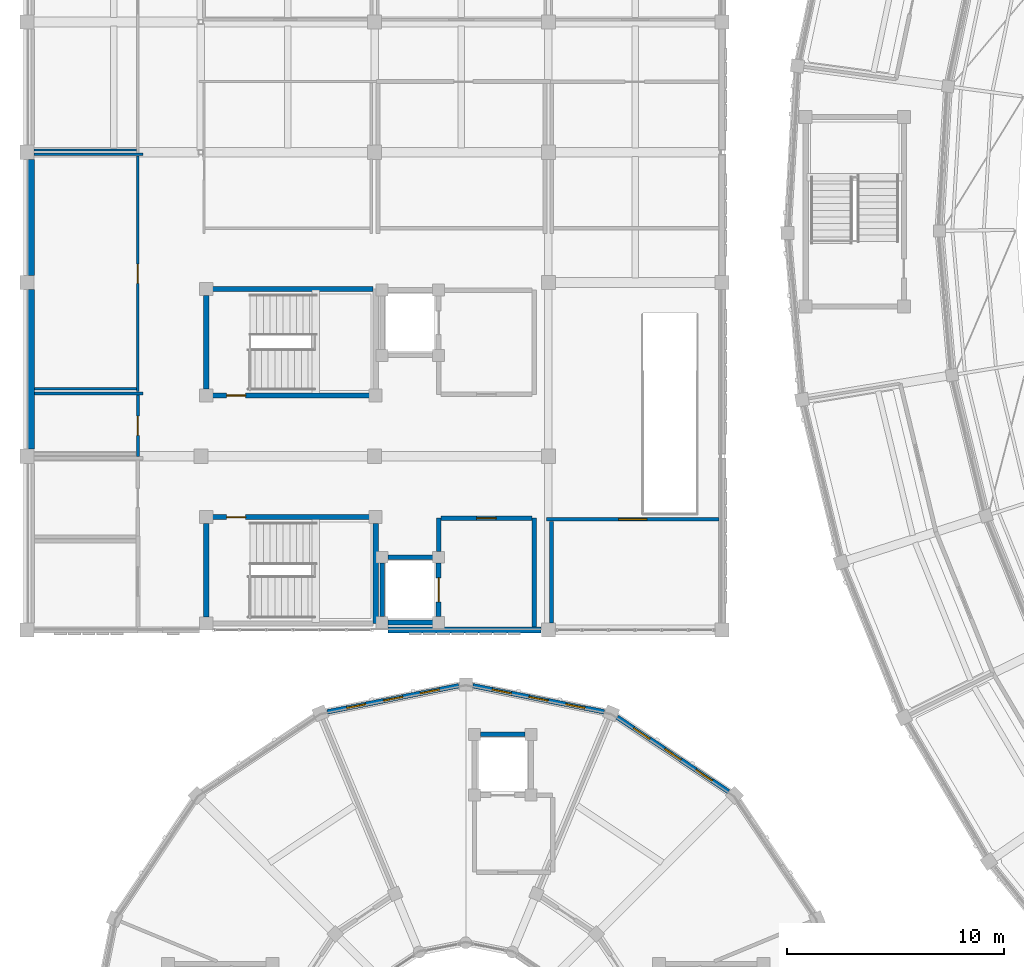
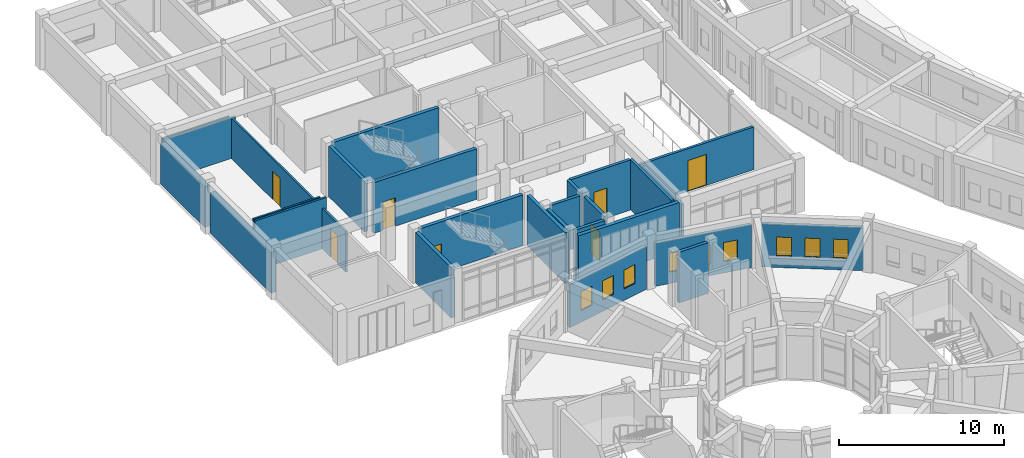
# One storey, part 77 of 112: 28 walls, 9 windows, 7 doors, 16 openings.
"""IFC4 building model written with IfcOpenShell, lengths in metres."""

from ifc_helpers import new_model, si_unit, direction, frame, frame_2d, origin, place, context, subcontext, project, spatial, rectangle, extrude, material, layer, layer_set, type_object, element, fill, save


model = new_model("IFC4")

# Units and contexts
model_context = context("Model", 3, precision=1e-05, world=origin(), true_north=direction((0.0, 1.0)))
body_context = subcontext(model_context, "Body", "Model", "MODEL_VIEW")
ifc_project = project(units=[si_unit("LENGTHUNIT", "METRE"), si_unit("AREAUNIT", "SQUARE_METRE"), si_unit("VOLUMEUNIT", "CUBIC_METRE"), si_unit("PLANEANGLEUNIT", "RADIAN"), si_unit("MASSUNIT", "GRAM", prefix="KILO")], contexts=[model_context])

# Site, building, storey
site_placement = place(None, origin())
site = spatial("IfcSite", under=ifc_project, at=site_placement, CompositionType="ELEMENT")
building_placement = place(site_placement, origin())
building = spatial("IfcBuilding", under=site, at=building_placement, Name="Celadon Cloister-Ring School", CompositionType="ELEMENT")
storey_placement = place(building_placement, frame((0.0, 0.0, 8.5)))
storey = spatial("IfcBuildingStorey", under=building, at=storey_placement, Name="L02", CompositionType="ELEMENT", Elevation=8.5)

# Wall
ifc_material_1 = material(Name="Rendered concrete blockwork", Category="masonry")
ifc_layer_1 = layer(ifc_material_1, 0.260009765625)
ifc_layer_set_1 = layer_set([ifc_layer_1], Name="Rendered concrete blockwork")
wall_type_1 = type_object("IfcWallType", Name="WT-EX2", PredefinedType="SOLIDWALL", material=ifc_layer_set_1)
wall_1_placement = place(storey_placement, frame((23.673095703125, 40.0, 0.0), z_axis=(0.0, 0.0, 1.0), x_axis=(-1.0, 0.0, 0.0)))
element("IfcWall", 1, at=wall_1_placement, inside=storey, type_object=wall_type_1, Name="Exterior Wall 0522", PredefinedType="SOLIDWALL", context=body_context, shape_type="SweptSolid", body=[
    extrude(rectangle(XDim=7.046142578125, YDim=0.260009765625, at=frame_2d((3.52294921875, 0.0))), origin(), (0.0, 0.0, 1.0), 3.550048828125),
])

# Wall, openings, windows
ifc_material_2 = material(Name="Perforated terracotta clay brick masonry", Category="masonry")
ifc_layer_2 = layer(ifc_material_2, 0.219970703125)
ifc_layer_set_2 = layer_set([ifc_layer_2], Name="Perforated terracotta clay brick masonry")
wall_type_2 = type_object("IfcWallType", Name="WT-EX4", PredefinedType="SOLIDWALL", material=ifc_layer_set_2)
wall_2_placement = place(storey_placement, frame((27.1708984375, 35.985107421875, 0.0), z_axis=(0.0, 0.0, 1.0), x_axis=(0.831392186772, -0.55568609104, 0.0)))
wall_2 = element("IfcWall", 2, at=wall_2_placement, inside=storey, type_object=wall_type_2, Name="Exterior Wall 0333", PredefinedType="SOLIDWALL", context=body_context, shape_type="SweptSolid", body=[
    extrude(rectangle(XDim=6.16943359375, YDim=0.219970703125, at=frame_2d((3.084716796875, 0.0))), origin(), (0.0, 0.0, 1.0), 3.172119140625),
])
opening_1_placement = place(wall_2_placement, frame((0.906982421875, 0.0, 0.85009765625)))
opening_1 = element("IfcOpeningElement", 3, at=opening_1_placement, cuts=wall_2, Name="Opening WN-21", PredefinedType="OPENING", context=body_context, shape_type="SweptSolid", body=[
    extrude(rectangle(XDim=0.89990234375, YDim=1.39990234375, at=frame_2d((0.449951171875, 0.699951171875))), frame((0.0, 0.1201171875, 0.0), z_axis=(0.0, -1.0, 0.0), x_axis=(1.0, 0.0, 0.0)), (0.0, 0.0, 1.0), 0.239990234375),
])
opening_2_placement = place(wall_2_placement, frame((2.635009765625, 0.0, 0.85009765625)))
opening_2 = element("IfcOpeningElement", 4, at=opening_2_placement, cuts=wall_2, Name="Opening WN-21", PredefinedType="OPENING", context=body_context, shape_type="SweptSolid", body=[
    extrude(rectangle(XDim=0.89990234375, YDim=1.39990234375, at=frame_2d((0.449951171875, 0.699951171875))), frame((0.0, 0.1201171875, 0.0), z_axis=(0.0, -1.0, 0.0), x_axis=(1.0, 0.0, 0.0)), (0.0, 0.0, 1.0), 0.239990234375),
])
opening_3_placement = place(wall_2_placement, frame((4.362060546875, 0.0, 0.85009765625)))
opening_3 = element("IfcOpeningElement", 5, at=opening_3_placement, cuts=wall_2, Name="Opening WN-21", PredefinedType="OPENING", context=body_context, shape_type="SweptSolid", body=[
    extrude(rectangle(XDim=0.89990234375, YDim=1.39990234375, at=frame_2d((0.449951171875, 0.699951171875))), frame((0.0, 0.1201171875, 0.0), z_axis=(0.0, -1.0, 0.0), x_axis=(1.0, 0.0, 0.0)), (0.0, 0.0, 1.0), 0.239990234375),
])
ifc_material_3 = material(Name="Tempered laminated insulating glass", Category="glass")
window_type = type_object("IfcWindowType", Name="WN-21", PartitioningType="SINGLE_PANEL", PredefinedType="WINDOW", material=ifc_material_3)
window_1_placement = place(opening_1_placement, origin())
window_1 = element("IfcWindow", 6, at=window_1_placement, inside=storey, type_object=window_type, Name="Window 0857", OverallHeight=1.39990234375, OverallWidth=0.89990234375, PartitioningType="SINGLE_PANEL", PredefinedType="WINDOW", context=body_context, shape_type="SweptSolid", body=[
    extrude(rectangle(XDim=0.89990234375, YDim=1.39990234375, at=frame_2d((0.449951171875, 0.699951171875))), frame((0.0, 0.030029296875, 0.0), z_axis=(0.0, -1.0, 0.0), x_axis=(1.0, 0.0, 0.0)), (0.0, 0.0, 1.0), 0.06005859375),
])
fill(opening_1, window_1)
window_2_placement = place(opening_2_placement, origin())
window_2 = element("IfcWindow", 7, at=window_2_placement, inside=storey, type_object=window_type, Name="Window 0858", OverallHeight=1.39990234375, OverallWidth=0.89990234375, PartitioningType="SINGLE_PANEL", PredefinedType="WINDOW", context=body_context, shape_type="SweptSolid", body=[
    extrude(rectangle(XDim=0.89990234375, YDim=1.39990234375, at=frame_2d((0.449951171875, 0.699951171875))), frame((0.0, 0.030029296875, 0.0), z_axis=(0.0, -1.0, 0.0), x_axis=(1.0, 0.0, 0.0)), (0.0, 0.0, 1.0), 0.06005859375),
])
fill(opening_2, window_2)
window_3_placement = place(opening_3_placement, origin())
window_3 = element("IfcWindow", 8, at=window_3_placement, inside=storey, type_object=window_type, Name="Window 0859", OverallHeight=1.39990234375, OverallWidth=0.89990234375, PartitioningType="SINGLE_PANEL", PredefinedType="WINDOW", context=body_context, shape_type="SweptSolid", body=[
    extrude(rectangle(XDim=0.89990234375, YDim=1.39990234375, at=frame_2d((0.449951171875, 0.699951171875))), frame((0.0, 0.030029296875, 0.0), z_axis=(0.0, -1.0, 0.0), x_axis=(1.0, 0.0, 0.0)), (0.0, 0.0, 1.0), 0.06005859375),
])
fill(opening_3, window_3)

wall_3_placement = place(storey_placement, frame((20.52294921875, 37.43603515625, 0.0), z_axis=(0.0, 0.0, 1.0), x_axis=(0.980770460131, -0.195164813773, 0.0)))
wall_3 = element("IfcWall", 9, at=wall_3_placement, inside=storey, type_object=wall_type_2, Name="Exterior Wall 0335", PredefinedType="SOLIDWALL", context=body_context, shape_type="SweptSolid", body=[
    extrude(rectangle(XDim=6.169677734375, YDim=0.219970703125, at=frame_2d((3.0849609375, 0.0))), origin(), (0.0, 0.0, 1.0), 3.172119140625),
])
opening_4_placement = place(wall_3_placement, frame((0.906982421875, 0.0, 0.85009765625)))
opening_4 = element("IfcOpeningElement", 10, at=opening_4_placement, cuts=wall_3, Name="Opening WN-21", PredefinedType="OPENING", context=body_context, shape_type="SweptSolid", body=[
    extrude(rectangle(XDim=0.89990234375, YDim=1.39990234375, at=frame_2d((0.449951171875, 0.699951171875))), frame((0.0, 0.1201171875, 0.0), z_axis=(0.0, -1.0, 0.0), x_axis=(1.0, 0.0, 0.0)), (0.0, 0.0, 1.0), 0.239990234375),
])
opening_5_placement = place(wall_3_placement, frame((2.635009765625, 0.0, 0.85009765625)))
opening_5 = element("IfcOpeningElement", 11, at=opening_5_placement, cuts=wall_3, Name="Opening WN-21", PredefinedType="OPENING", context=body_context, shape_type="SweptSolid", body=[
    extrude(rectangle(XDim=0.89990234375, YDim=1.39990234375, at=frame_2d((0.449951171875, 0.699951171875))), frame((0.0, 0.1201171875, 0.0), z_axis=(0.0, -1.0, 0.0), x_axis=(1.0, 0.0, 0.0)), (0.0, 0.0, 1.0), 0.239990234375),
])
opening_6_placement = place(wall_3_placement, frame((4.362060546875, 0.0, 0.85009765625)))
opening_6 = element("IfcOpeningElement", 12, at=opening_6_placement, cuts=wall_3, Name="Opening WN-21", PredefinedType="OPENING", context=body_context, shape_type="SweptSolid", body=[
    extrude(rectangle(XDim=0.89990234375, YDim=1.39990234375, at=frame_2d((0.449951171875, 0.699951171875))), frame((0.0, 0.1201171875, 0.0), z_axis=(0.0, -1.0, 0.0), x_axis=(1.0, 0.0, 0.0)), (0.0, 0.0, 1.0), 0.239990234375),
])
window_4_placement = place(opening_4_placement, origin())
window_4 = element("IfcWindow", 13, at=window_4_placement, inside=storey, type_object=window_type, Name="Window 0860", OverallHeight=1.39990234375, OverallWidth=0.89990234375, PartitioningType="SINGLE_PANEL", PredefinedType="WINDOW", context=body_context, shape_type="SweptSolid", body=[
    extrude(rectangle(XDim=0.89990234375, YDim=1.39990234375, at=frame_2d((0.449951171875, 0.699951171875))), frame((0.0, 0.030029296875, 0.0), z_axis=(0.0, -1.0, 0.0), x_axis=(1.0, 0.0, 0.0)), (0.0, 0.0, 1.0), 0.06005859375),
])
fill(opening_4, window_4)
window_5_placement = place(opening_5_placement, origin())
window_5 = element("IfcWindow", 14, at=window_5_placement, inside=storey, type_object=window_type, Name="Window 0861", OverallHeight=1.39990234375, OverallWidth=0.89990234375, PartitioningType="SINGLE_PANEL", PredefinedType="WINDOW", context=body_context, shape_type="SweptSolid", body=[
    extrude(rectangle(XDim=0.89990234375, YDim=1.39990234375, at=frame_2d((0.449951171875, 0.699951171875))), frame((0.0, 0.030029296875, 0.0), z_axis=(0.0, -1.0, 0.0), x_axis=(1.0, 0.0, 0.0)), (0.0, 0.0, 1.0), 0.06005859375),
])
fill(opening_5, window_5)
window_6_placement = place(opening_6_placement, origin())
window_6 = element("IfcWindow", 15, at=window_6_placement, inside=storey, type_object=window_type, Name="Window 0862", OverallHeight=1.39990234375, OverallWidth=0.89990234375, PartitioningType="SINGLE_PANEL", PredefinedType="WINDOW", context=body_context, shape_type="SweptSolid", body=[
    extrude(rectangle(XDim=0.89990234375, YDim=1.39990234375, at=frame_2d((0.449951171875, 0.699951171875))), frame((0.0, 0.030029296875, 0.0), z_axis=(0.0, -1.0, 0.0), x_axis=(1.0, 0.0, 0.0)), (0.0, 0.0, 1.0), 0.06005859375),
])
fill(opening_6, window_6)

wall_4_placement = place(storey_placement, frame((13.825927734375, 36.23193359375, 0.0), z_axis=(0.0, 0.0, 1.0), x_axis=(0.980770460131, 0.195164813773, 0.0)))
wall_4 = element("IfcWall", 16, at=wall_4_placement, inside=storey, type_object=wall_type_2, Name="Exterior Wall 0336", PredefinedType="SOLIDWALL", context=body_context, shape_type="SweptSolid", body=[
    extrude(rectangle(XDim=6.169677734375, YDim=0.219970703125, at=frame_2d((3.0849609375, 0.0))), origin(), (0.0, 0.0, 1.0), 3.172119140625),
])
opening_7_placement = place(wall_4_placement, frame((0.906982421875, 0.0, 0.85009765625)))
opening_7 = element("IfcOpeningElement", 17, at=opening_7_placement, cuts=wall_4, Name="Opening WN-21", PredefinedType="OPENING", context=body_context, shape_type="SweptSolid", body=[
    extrude(rectangle(XDim=0.89990234375, YDim=1.39990234375, at=frame_2d((0.449951171875, 0.699951171875))), frame((0.0, 0.1201171875, 0.0), z_axis=(0.0, -1.0, 0.0), x_axis=(1.0, 0.0, 0.0)), (0.0, 0.0, 1.0), 0.239990234375),
])
opening_8_placement = place(wall_4_placement, frame((2.635009765625, 0.0, 0.85009765625)))
opening_8 = element("IfcOpeningElement", 18, at=opening_8_placement, cuts=wall_4, Name="Opening WN-21", PredefinedType="OPENING", context=body_context, shape_type="SweptSolid", body=[
    extrude(rectangle(XDim=0.89990234375, YDim=1.39990234375, at=frame_2d((0.449951171875, 0.699951171875))), frame((0.0, 0.1201171875, 0.0), z_axis=(0.0, -1.0, 0.0), x_axis=(1.0, 0.0, 0.0)), (0.0, 0.0, 1.0), 0.239990234375),
])
opening_9_placement = place(wall_4_placement, frame((4.362060546875, 0.0, 0.85009765625)))
opening_9 = element("IfcOpeningElement", 19, at=opening_9_placement, cuts=wall_4, Name="Opening WN-21", PredefinedType="OPENING", context=body_context, shape_type="SweptSolid", body=[
    extrude(rectangle(XDim=0.89990234375, YDim=1.39990234375, at=frame_2d((0.449951171875, 0.699951171875))), frame((0.0, 0.1201171875, 0.0), z_axis=(0.0, -1.0, 0.0), x_axis=(1.0, 0.0, 0.0)), (0.0, 0.0, 1.0), 0.239990234375),
])
window_7_placement = place(opening_7_placement, origin())
window_7 = element("IfcWindow", 20, at=window_7_placement, inside=storey, type_object=window_type, Name="Window 0863", OverallHeight=1.39990234375, OverallWidth=0.89990234375, PartitioningType="SINGLE_PANEL", PredefinedType="WINDOW", context=body_context, shape_type="SweptSolid", body=[
    extrude(rectangle(XDim=0.89990234375, YDim=1.39990234375, at=frame_2d((0.449951171875, 0.699951171875))), frame((0.0, 0.030029296875, 0.0), z_axis=(0.0, -1.0, 0.0), x_axis=(1.0, 0.0, 0.0)), (0.0, 0.0, 1.0), 0.06005859375),
])
fill(opening_7, window_7)
window_8_placement = place(opening_8_placement, origin())
window_8 = element("IfcWindow", 21, at=window_8_placement, inside=storey, type_object=window_type, Name="Window 0864", OverallHeight=1.39990234375, OverallWidth=0.89990234375, PartitioningType="SINGLE_PANEL", PredefinedType="WINDOW", context=body_context, shape_type="SweptSolid", body=[
    extrude(rectangle(XDim=0.89990234375, YDim=1.39990234375, at=frame_2d((0.449951171875, 0.699951171875))), frame((0.0, 0.030029296875, 0.0), z_axis=(0.0, -1.0, 0.0), x_axis=(1.0, 0.0, 0.0)), (0.0, 0.0, 1.0), 0.06005859375),
])
fill(opening_8, window_8)
window_9_placement = place(opening_9_placement, origin())
window_9 = element("IfcWindow", 22, at=window_9_placement, inside=storey, type_object=window_type, Name="Window 0865", OverallHeight=1.39990234375, OverallWidth=0.89990234375, PartitioningType="SINGLE_PANEL", PredefinedType="WINDOW", context=body_context, shape_type="SweptSolid", body=[
    extrude(rectangle(XDim=0.89990234375, YDim=1.39990234375, at=frame_2d((0.449951171875, 0.699951171875))), frame((0.0, 0.030029296875, 0.0), z_axis=(0.0, -1.0, 0.0), x_axis=(1.0, 0.0, 0.0)), (0.0, 0.0, 1.0), 0.06005859375),
])
fill(opening_9, window_9)

# Walls
ifc_material_4 = material(Name="Concrete C40/50", Category="concrete")
ifc_layer_3 = layer(ifc_material_4, 0.35009765625)
ifc_layer_set_3 = layer_set([ifc_layer_3], Name="Concrete C40/50")
wall_type_3 = type_object("IfcWallType", Name="WT-FW2", PredefinedType="SHEAR", material=ifc_layer_set_3)
wall_5_placement = place(storey_placement, frame((0.175048828125, 48.326904296875, 0.0), z_axis=(0.0, 0.0, 1.0), x_axis=(0.0, 1.0, 0.0)))
element("IfcWall", 23, at=wall_5_placement, inside=storey, type_object=wall_type_3, Name="Exterior Wall 0525", PredefinedType="SHEAR", context=body_context, shape_type="SweptSolid", body=[
    extrude(rectangle(XDim=7.34619140625, YDim=0.35009765625, at=frame_2d((3.673095703125, 0.0))), origin(), (0.0, 0.0, 1.0), 3.001953125),
])
wall_6_placement = place(storey_placement, frame((0.175048828125, 56.326904296875, 0.0), z_axis=(0.0, 0.0, 1.0), x_axis=(0.0, 1.0, 0.0)))
element("IfcWall", 24, at=wall_6_placement, inside=storey, type_object=wall_type_3, Name="Exterior Wall 0526", PredefinedType="SHEAR", context=body_context, shape_type="SweptSolid", body=[
    extrude(rectangle(XDim=5.34619140625, YDim=0.35009765625, at=frame_2d((2.673095703125, 0.0))), origin(), (0.0, 0.0, 1.0), 3.001953125),
])
ifc_material_5 = material(Name="Plastered hollow concrete masonry", Category="masonry")
ifc_layer_4 = layer(ifc_material_5, 0.199951171875)
ifc_layer_set_4 = layer_set([ifc_layer_4], Name="Plastered hollow concrete masonry")
wall_type_4 = type_object("IfcWallType", Name="WT-PT1", PredefinedType="PARTITIONING", material=ifc_layer_set_4)
wall_7_placement = place(storey_placement, frame((18.949951171875, 43.616943359375, 0.0), z_axis=(0.0, 0.0, 1.0), x_axis=(0.0, 1.0, 0.0)))
element("IfcWall", 25, at=wall_7_placement, inside=storey, type_object=wall_type_4, Name="Interior Wall 0227", PredefinedType="PARTITIONING", context=body_context, shape_type="SweptSolid", body=[
    extrude(rectangle(XDim=1.532958984375, YDim=0.199951171875, at=frame_2d((0.7666015625, 0.0))), origin(), (0.0, 0.0, 1.0), 3.699951171875),
])
wall_8_placement = place(storey_placement, frame((23.35009765625, 40.133056640625, 0.0), z_axis=(0.0, 0.0, 1.0), x_axis=(0.0, 1.0, 0.0)))
element("IfcWall", 26, at=wall_8_placement, inside=storey, type_object=wall_type_4, Name="Interior Wall 0228", PredefinedType="PARTITIONING", context=body_context, shape_type="SweptSolid", body=[
    extrude(rectangle(XDim=5.016845703125, YDim=0.199951171875, at=frame_2d((2.50830078125, 0.0))), origin(), (0.0, 0.0, 1.0), 3.699951171875),
])

# Wall, opening, door
wall_9_placement = place(storey_placement, frame((19.052978515625, 45.14990234375, 0.0), z_axis=(0.0, 0.0, 1.0), x_axis=(1.0, 0.0, 0.0)))
wall_9 = element("IfcWall", 27, at=wall_9_placement, inside=storey, type_object=wall_type_4, Name="Interior Wall 0229", PredefinedType="PARTITIONING", context=body_context, shape_type="SweptSolid", body=[
    extrude(rectangle(XDim=4.194091796875, YDim=0.199951171875, at=frame_2d((2.09716796875, 0.0))), origin(), (0.0, 0.0, 1.0), 3.699951171875),
])
opening_10_placement = place(wall_9_placement, frame((1.64697265625, 0.0, 0.0)))
opening_10 = element("IfcOpeningElement", 28, at=opening_10_placement, cuts=wall_9, Name="Opening D-0087", PredefinedType="OPENING", context=body_context, shape_type="SweptSolid", body=[
    extrude(rectangle(XDim=0.89990234375, YDim=2.199951171875, at=frame_2d((0.449951171875, 1.10009765625))), frame((0.0, 0.10986328125, 0.0), z_axis=(0.0, -1.0, 0.0), x_axis=(1.0, 0.0, 0.0)), (0.0, 0.0, 1.0), 0.219970703125),
])
ifc_material_6 = material(Name="Solid-core fire-rated hardwood leaf", Category="wood")
door_type_1 = type_object("IfcDoorType", Name="DT-06", OperationType="NOTDEFINED", PredefinedType="DOOR", material=ifc_material_6)
door_1_placement = place(opening_10_placement, origin())
door_1 = element("IfcDoor", 29, at=door_1_placement, inside=storey, type_object=door_type_1, Name="Door D-0087", OperationType="SINGLE_SWING_LEFT", OverallHeight=2.199951171875, OverallWidth=0.89990234375, PredefinedType="DOOR", context=body_context, shape_type="SweptSolid", body=[
    extrude(rectangle(XDim=0.89990234375, YDim=2.199951171875, at=frame_2d((0.449951171875, 1.10009765625))), frame((0.0, 0.02490234375, 0.0), z_axis=(0.0, -1.0, 0.0), x_axis=(1.0, 0.0, 0.0)), (0.0, 0.0, 1.0), 0.050048828125),
])
fill(opening_10, door_1)

ifc_material_7 = material(Name="Plastered hollow concrete masonry", Category="masonry")
ifc_layer_5 = layer(ifc_material_7, 0.179931640625)
ifc_layer_set_5 = layer_set([ifc_layer_5], Name="Plastered hollow concrete masonry")
wall_type_5 = type_object("IfcWallType", Name="WT-PT2", PredefinedType="PARTITIONING", material=ifc_layer_set_5)
wall_10_placement = place(storey_placement, frame((23.909912109375, 45.10009765625, 0.0), z_axis=(0.0, 0.0, 1.0), x_axis=(1.0, 0.0, 0.0)))
wall_10 = element("IfcWall", 30, at=wall_10_placement, inside=storey, type_object=wall_type_5, Name="Interior Wall 1065", PredefinedType="PARTITIONING", context=body_context, shape_type="SweptSolid", body=[
    extrude(rectangle(XDim=7.95703125, YDim=0.179931640625, at=frame_2d((3.978515625, 0.0))), origin(), (0.0, 0.0, 1.0), 3.152099609375),
])
opening_11_placement = place(wall_10_placement, frame((3.3291015625, 0.0, 0.0)))
opening_11 = element("IfcOpeningElement", 31, at=opening_11_placement, cuts=wall_10, Name="Opening D-0380", PredefinedType="OPENING", context=body_context, shape_type="SweptSolid", body=[
    extrude(rectangle(XDim=1.300048828125, YDim=2.280029296875, at=frame_2d((0.64990234375, 1.14013671875))), frame((0.0, 0.10009765625, 0.0), z_axis=(0.0, -1.0, 0.0), x_axis=(1.0, 0.0, 0.0)), (0.0, 0.0, 1.0), 0.199951171875),
])
ifc_material_8 = material(Name="Galvanised fire-rated hollow steel leaf", Category="steel")
door_type_2 = type_object("IfcDoorType", Name="DT-16", OperationType="NOTDEFINED", PredefinedType="DOOR", material=ifc_material_8)
door_2_placement = place(opening_11_placement, origin())
door_2 = element("IfcDoor", 32, at=door_2_placement, inside=storey, type_object=door_type_2, Name="Door D-0380", OperationType="SINGLE_SWING_RIGHT", OverallHeight=2.280029296875, OverallWidth=1.300048828125, PredefinedType="DOOR", context=body_context, shape_type="SweptSolid", body=[
    extrude(rectangle(XDim=1.300048828125, YDim=2.280029296875, at=frame_2d((0.64990234375, 1.14013671875))), frame((0.0, 0.02490234375, 0.0), z_axis=(0.0, -1.0, 0.0), x_axis=(1.0, 0.0, 0.0)), (0.0, 0.0, 1.0), 0.050048828125),
])
fill(opening_11, door_2)

# Walls
wall_11_placement = place(storey_placement, frame((24.14990234375, 40.31689453125, 0.0), z_axis=(0.0, 0.0, 1.0), x_axis=(0.0, 1.0, 0.0)))
element("IfcWall", 33, at=wall_11_placement, inside=storey, type_object=wall_type_5, Name="Interior Wall 1066", PredefinedType="PARTITIONING", context=body_context, shape_type="SweptSolid", body=[
    extrude(rectangle(XDim=4.690185546875, YDim=0.179931640625, at=frame_2d((2.34521484375, 0.0))), origin(), (0.0, 0.0, 1.0), 3.001953125),
])
ifc_material_9 = material(Name="Acoustic mineral-wool drywall partition")
ifc_layer_6 = layer(ifc_material_9, 0.139892578125)
ifc_layer_set_6 = layer_set([ifc_layer_6], Name="Acoustic mineral-wool drywall partition")
wall_type_6 = type_object("IfcWallType", Name="WT-PT4", PredefinedType="PARTITIONING", material=ifc_layer_set_6)
wall_12_placement = place(storey_placement, frame((0.35302734375, 50.89990234375, 0.0), z_axis=(0.0, 0.0, 1.0), x_axis=(1.0, 0.0, 0.0)))
element("IfcWall", 34, at=wall_12_placement, inside=storey, type_object=wall_type_6, Name="Interior Wall 1057", PredefinedType="PARTITIONING", context=body_context, shape_type="SweptSolid", body=[
    extrude(rectangle(XDim=4.987060546875, YDim=0.139892578125, at=frame_2d((2.49365234375, 0.0))), origin(), (0.0, 0.0, 1.0), 3.699951171875),
])

# Wall, opening, door
wall_13_placement = place(storey_placement, frame((5.10009765625, 50.826904296875, 0.0), z_axis=(0.0, 0.0, 1.0), x_axis=(0.0, -1.0, 0.0)))
wall_13 = element("IfcWall", 35, at=wall_13_placement, inside=storey, type_object=wall_type_6, Name="Interior Wall 1058", PredefinedType="PARTITIONING", context=body_context, shape_type="SweptSolid", body=[
    extrude(rectangle(XDim=2.843994140625, YDim=0.139892578125, at=frame_2d((1.421875, 0.0))), origin(), (0.0, 0.0, 1.0), 3.001953125),
])
opening_12_placement = place(wall_13_placement, frame((0.98193359375, 0.0, 0.0)))
opening_12 = element("IfcOpeningElement", 36, at=opening_12_placement, cuts=wall_13, Name="Opening D-0377", PredefinedType="OPENING", context=body_context, shape_type="SweptSolid", body=[
    extrude(rectangle(XDim=0.8798828125, YDim=2.10009765625, at=frame_2d((0.43994140625, 1.050048828125))), frame((0.0, 0.080078125, 0.0), z_axis=(0.0, -1.0, 0.0), x_axis=(1.0, 0.0, 0.0)), (0.0, 0.0, 1.0), 0.159912109375),
])
ifc_material_10 = material(Name="Solid-core fire-rated hardwood leaf", Category="wood")
door_type_3 = type_object("IfcDoorType", Name="DT-01", OperationType="NOTDEFINED", PredefinedType="DOOR", material=ifc_material_10)
door_3_placement = place(opening_12_placement, origin())
door_3 = element("IfcDoor", 37, at=door_3_placement, inside=storey, type_object=door_type_3, Name="Door D-0377", OperationType="SINGLE_SWING_LEFT", OverallHeight=2.10009765625, OverallWidth=0.8798828125, PredefinedType="DOOR", context=body_context, shape_type="SweptSolid", body=[
    extrude(rectangle(XDim=0.8798828125, YDim=2.10009765625, at=frame_2d((0.43994140625, 1.050048828125))), frame((0.0, 0.02490234375, 0.0), z_axis=(0.0, -1.0, 0.0), x_axis=(1.0, 0.0, 0.0)), (0.0, 0.0, 1.0), 0.050048828125),
])
fill(opening_12, door_3)

# Wall
ifc_material_11 = material(Name="Acoustic mineral-wool drywall partition")
ifc_layer_7 = layer(ifc_material_11, 0.1201171875)
ifc_layer_set_7 = layer_set([ifc_layer_7], Name="Acoustic mineral-wool drywall partition")
wall_type_7 = type_object("IfcWallType", Name="WT-PT5", PredefinedType="PARTITIONING", material=ifc_layer_set_7)
wall_14_placement = place(storey_placement, frame((0.31689453125, 61.89990234375, 0.0), z_axis=(0.0, 0.0, 1.0), x_axis=(1.0, 0.0, 0.0)))
element("IfcWall", 38, at=wall_14_placement, inside=storey, type_object=wall_type_7, Name="Interior Wall 1060", PredefinedType="PARTITIONING", context=body_context, shape_type="SweptSolid", body=[
    extrude(rectangle(XDim=5.023193359375, YDim=0.1201171875, at=frame_2d((2.51171875, 0.0))), origin(), (0.0, 0.0, 1.0), 3.001953125),
])

# Wall, opening, door
wall_15_placement = place(storey_placement, frame((5.10009765625, 61.8369140625, 0.0), z_axis=(0.0, 0.0, 1.0), x_axis=(0.0, -1.0, 0.0)))
wall_15 = element("IfcWall", 39, at=wall_15_placement, inside=storey, type_object=wall_type_7, Name="Interior Wall 1061", PredefinedType="PARTITIONING", context=body_context, shape_type="SweptSolid", body=[
    extrude(rectangle(XDim=10.864013671875, YDim=0.1201171875, at=frame_2d((5.43212890625, 0.0))), origin(), (0.0, 0.0, 1.0), 3.001953125),
])
opening_13_placement = place(wall_15_placement, frame((4.991943359375, 0.0, 0.0)))
opening_13 = element("IfcOpeningElement", 40, at=opening_13_placement, cuts=wall_15, Name="Opening D-0378", PredefinedType="OPENING", context=body_context, shape_type="SweptSolid", body=[
    extrude(rectangle(XDim=0.8798828125, YDim=2.10009765625, at=frame_2d((0.43994140625, 1.050048828125))), frame((0.0, 0.070068359375, 0.0), z_axis=(0.0, -1.0, 0.0), x_axis=(1.0, 0.0, 0.0)), (0.0, 0.0, 1.0), 0.14013671875),
])
door_4_placement = place(opening_13_placement, origin())
door_4 = element("IfcDoor", 41, at=door_4_placement, inside=storey, type_object=door_type_3, Name="Door D-0378", OperationType="SINGLE_SWING_RIGHT", OverallHeight=2.10009765625, OverallWidth=0.8798828125, PredefinedType="DOOR", context=body_context, shape_type="SweptSolid", body=[
    extrude(rectangle(XDim=0.8798828125, YDim=2.10009765625, at=frame_2d((0.43994140625, 1.050048828125))), frame((0.0, 0.02490234375, 0.0), z_axis=(0.0, -1.0, 0.0), x_axis=(1.0, 0.0, 0.0)), (0.0, 0.0, 1.0), 0.050048828125),
])
fill(opening_13, door_4)

# Walls
wall_16_placement = place(storey_placement, frame((5.037109375, 51.10009765625, 0.0), z_axis=(0.0, 0.0, 1.0), x_axis=(-1.0, 0.0, 0.0)))
element("IfcWall", 42, at=wall_16_placement, inside=storey, type_object=wall_type_7, Name="Interior Wall 1062", PredefinedType="PARTITIONING", context=body_context, shape_type="SweptSolid", body=[
    extrude(rectangle(XDim=4.68408203125, YDim=0.1201171875, at=frame_2d((2.342041015625, 0.0))), origin(), (0.0, 0.0, 1.0), 3.699951171875),
])
ifc_material_12 = material(Name="Acoustic mineral-wool drywall partition")
ifc_layer_8 = layer(ifc_material_12, 0.10009765625)
ifc_layer_set_8 = layer_set([ifc_layer_8], Name="Acoustic mineral-wool drywall partition")
wall_type_8 = type_object("IfcWallType", Name="WT-PT6", PredefinedType="PARTITIONING", material=ifc_layer_set_8)
wall_17_placement = place(storey_placement, frame((5.047119140625, 62.10009765625, 0.0), z_axis=(0.0, 0.0, 1.0), x_axis=(-1.0, 0.0, 0.0)))
element("IfcWall", 43, at=wall_17_placement, inside=storey, type_object=wall_type_8, Name="Interior Wall 1064", PredefinedType="PARTITIONING", context=body_context, shape_type="SweptSolid", body=[
    extrude(rectangle(XDim=4.730224609375, YDim=0.10009765625, at=frame_2d((2.365234375, 0.0))), origin(), (0.0, 0.0, 1.0), 3.001953125),
])
ifc_material_13 = material(Name="Concrete C40/50", Category="concrete")
ifc_layer_9 = layer(ifc_material_13, 0.239990234375)
ifc_layer_set_9 = layer_set([ifc_layer_9], Name="Concrete C40/50")
wall_type_9 = type_object("IfcWallType", Name="WT-SH1", PredefinedType="SHEAR", material=ifc_layer_set_9)
wall_18_placement = place(storey_placement, frame((8.25, 40.592041015625, 0.0), z_axis=(0.0, 0.0, 1.0), x_axis=(0.0, 1.0, 0.0)))
element("IfcWall", 44, at=wall_18_placement, inside=storey, type_object=wall_type_9, Name="Interior Wall 0009", PredefinedType="SHEAR", context=body_context, shape_type="SweptSolid", body=[
    extrude(rectangle(XDim=4.31591796875, YDim=0.239990234375, at=frame_2d((2.157958984375, 0.0))), origin(), (0.0, 0.0, 1.0), 3.739990234375),
])
wall_19_placement = place(storey_placement, frame((16.050048828125, 44.907958984375, 0.0), z_axis=(0.0, 0.0, 1.0), x_axis=(0.0, -1.0, 0.0)))
element("IfcWall", 45, at=wall_19_placement, inside=storey, type_object=wall_type_9, Name="Interior Wall 0010", PredefinedType="SHEAR", context=body_context, shape_type="SweptSolid", body=[
    extrude(rectangle(XDim=4.60791015625, YDim=0.239990234375, at=frame_2d((2.303955078125, 0.0))), origin(), (0.0, 0.0, 1.0), 3.739990234375),
])

# Wall, opening, door
wall_20_placement = place(storey_placement, frame((15.758056640625, 45.199951171875, 0.0), z_axis=(0.0, 0.0, 1.0), x_axis=(-1.0, 0.0, 0.0)))
wall_20 = element("IfcWall", 46, at=wall_20_placement, inside=storey, type_object=wall_type_9, Name="Interior Wall 0012", PredefinedType="SHEAR", context=body_context, shape_type="SweptSolid", body=[
    extrude(rectangle(XDim=7.216064453125, YDim=0.239990234375, at=frame_2d((3.60791015625, 0.0))), origin(), (0.0, 0.0, 1.0), 3.739990234375),
])
opening_14_placement = place(wall_20_placement, frame((5.694091796875, 0.0, 0.0)))
opening_14 = element("IfcOpeningElement", 47, at=opening_14_placement, cuts=wall_20, Name="Opening D-0035", PredefinedType="OPENING", context=body_context, shape_type="SweptSolid", body=[
    extrude(rectangle(XDim=0.8798828125, YDim=2.10009765625, at=frame_2d((0.43994140625, 1.050048828125))), frame((0.0, 0.1298828125, 0.0), z_axis=(0.0, -1.0, 0.0), x_axis=(1.0, 0.0, 0.0)), (0.0, 0.0, 1.0), 0.260009765625),
])
door_5_placement = place(opening_14_placement, origin())
door_5 = element("IfcDoor", 48, at=door_5_placement, inside=storey, type_object=door_type_3, Name="Door D-0035", OperationType="SINGLE_SWING_LEFT", OverallHeight=2.10009765625, OverallWidth=0.8798828125, PredefinedType="DOOR", context=body_context, shape_type="SweptSolid", body=[
    extrude(rectangle(XDim=0.8798828125, YDim=2.10009765625, at=frame_2d((0.43994140625, 1.050048828125))), frame((0.0, 0.02490234375, 0.0), z_axis=(0.0, -1.0, 0.0), x_axis=(1.0, 0.0, 0.0)), (0.0, 0.0, 1.0), 0.050048828125),
])
fill(opening_14, door_5)

# Wall
wall_21_placement = place(storey_placement, frame((8.25, 51.092041015625, 0.0), z_axis=(0.0, 0.0, 1.0), x_axis=(0.0, 1.0, 0.0)))
element("IfcWall", 49, at=wall_21_placement, inside=storey, type_object=wall_type_9, Name="Interior Wall 0033", PredefinedType="SHEAR", context=body_context, shape_type="SweptSolid", body=[
    extrude(rectangle(XDim=4.31591796875, YDim=0.239990234375, at=frame_2d((2.157958984375, 0.0))), origin(), (0.0, 0.0, 1.0), 3.739990234375),
])

# Wall, opening, door
wall_22_placement = place(storey_placement, frame((15.758056640625, 50.800048828125, 0.0), z_axis=(0.0, 0.0, 1.0), x_axis=(-1.0, 0.0, 0.0)))
wall_22 = element("IfcWall", 50, at=wall_22_placement, inside=storey, type_object=wall_type_9, Name="Interior Wall 0035", PredefinedType="SHEAR", context=body_context, shape_type="SweptSolid", body=[
    extrude(rectangle(XDim=7.216064453125, YDim=0.239990234375, at=frame_2d((3.60791015625, 0.0))), origin(), (0.0, 0.0, 1.0), 3.739990234375),
])
opening_15_placement = place(wall_22_placement, frame((5.694091796875, 0.0, 0.0)))
opening_15 = element("IfcOpeningElement", 51, at=opening_15_placement, cuts=wall_22, Name="Opening D-0041", PredefinedType="OPENING", context=body_context, shape_type="SweptSolid", body=[
    extrude(rectangle(XDim=0.8798828125, YDim=2.10009765625, at=frame_2d((0.43994140625, 1.050048828125))), frame((0.0, 0.1298828125, 0.0), z_axis=(0.0, -1.0, 0.0), x_axis=(1.0, 0.0, 0.0)), (0.0, 0.0, 1.0), 0.260009765625),
])
door_6_placement = place(opening_15_placement, origin())
door_6 = element("IfcDoor", 52, at=door_6_placement, inside=storey, type_object=door_type_3, Name="Door D-0041", OperationType="SINGLE_SWING_LEFT", OverallHeight=2.10009765625, OverallWidth=0.8798828125, PredefinedType="DOOR", context=body_context, shape_type="SweptSolid", body=[
    extrude(rectangle(XDim=0.8798828125, YDim=2.10009765625, at=frame_2d((0.43994140625, 1.050048828125))), frame((0.0, 0.02490234375, 0.0), z_axis=(0.0, -1.0, 0.0), x_axis=(1.0, 0.0, 0.0)), (0.0, 0.0, 1.0), 0.050048828125),
])
fill(opening_15, door_6)

# Walls
wall_23_placement = place(storey_placement, frame((15.927001953125, 55.699951171875, 0.0), z_axis=(0.0, 0.0, 1.0), x_axis=(-1.0, 0.0, 0.0)))
element("IfcWall", 53, at=wall_23_placement, inside=storey, type_object=wall_type_9, Name="Interior Wall 0036", PredefinedType="SHEAR", context=body_context, shape_type="SweptSolid", body=[
    extrude(rectangle(XDim=7.385009765625, YDim=0.239990234375, at=frame_2d((3.6923828125, 0.0))), origin(), (0.0, 0.0, 1.0), 3.739990234375),
])
ifc_material_14 = material(Name="Concrete C40/50", Category="concrete")
ifc_layer_10 = layer(ifc_material_14, 0.219970703125)
ifc_layer_set_10 = layer_set([ifc_layer_10], Name="Concrete C40/50")
wall_type_10 = type_object("IfcWallType", Name="WT-SH2", PredefinedType="SHEAR", material=ifc_layer_set_10)
wall_24_placement = place(storey_placement, frame((16.616943359375, 40.35009765625, 0.0), z_axis=(0.0, 0.0, 1.0), x_axis=(1.0, 0.0, 0.0)))
element("IfcWall", 54, at=wall_24_placement, inside=storey, type_object=wall_type_10, Name="Interior Wall 0223", PredefinedType="SHEAR", context=body_context, shape_type="SweptSolid", body=[
    extrude(rectangle(XDim=2.066162109375, YDim=0.219970703125, at=frame_2d((1.033203125, 0.0))), origin(), (0.0, 0.0, 1.0), 3.739990234375),
])

# Wall, opening, door
wall_25_placement = place(storey_placement, frame((18.949951171875, 40.616943359375, 0.0), z_axis=(0.0, 0.0, 1.0), x_axis=(0.0, 1.0, 0.0)))
wall_25 = element("IfcWall", 55, at=wall_25_placement, inside=storey, type_object=wall_type_10, Name="Interior Wall 0224", PredefinedType="SHEAR", context=body_context, shape_type="SweptSolid", body=[
    extrude(rectangle(XDim=2.466064453125, YDim=0.219970703125, at=frame_2d((1.23291015625, 0.0))), origin(), (0.0, 0.0, 1.0), 3.739990234375),
])
opening_16_placement = place(wall_25_placement, frame((0.68310546875, 0.0, 0.0)))
opening_16 = element("IfcOpeningElement", 56, at=opening_16_placement, cuts=wall_25, Name="Opening LD-003", PredefinedType="OPENING", context=body_context, shape_type="SweptSolid", body=[
    extrude(rectangle(XDim=1.10009765625, YDim=2.14990234375, at=frame_2d((0.550048828125, 1.074951171875))), frame((0.0, 0.1201171875, 0.0), z_axis=(0.0, -1.0, 0.0), x_axis=(1.0, 0.0, 0.0)), (0.0, 0.0, 1.0), 0.239990234375),
])
ifc_material_15 = material(Name="Galvanised fire-rated hollow steel leaf", Category="steel")
door_type_4 = type_object("IfcDoorType", Name="DT-LD1", OperationType="DOUBLE_DOOR_SLIDING", PredefinedType="DOOR", material=ifc_material_15)
door_7_placement = place(opening_16_placement, origin())
door_7 = element("IfcDoor", 57, at=door_7_placement, inside=storey, type_object=door_type_4, Name="Door LD-003", OperationType="DOUBLE_DOOR_SLIDING", OverallHeight=2.14990234375, OverallWidth=1.10009765625, PredefinedType="DOOR", context=body_context, shape_type="SweptSolid", body=[
    extrude(rectangle(XDim=1.10009765625, YDim=2.14990234375, at=frame_2d((0.550048828125, 1.074951171875))), frame((0.0, 0.02490234375, 0.0), z_axis=(0.0, -1.0, 0.0), x_axis=(1.0, 0.0, 0.0)), (0.0, 0.0, 1.0), 0.050048828125),
])
fill(opening_16, door_7)

# Walls
wall_26_placement = place(storey_placement, frame((18.68310546875, 43.35009765625, 0.0), z_axis=(0.0, 0.0, 1.0), x_axis=(-1.0, 0.0, 0.0)))
element("IfcWall", 58, at=wall_26_placement, inside=storey, type_object=wall_type_10, Name="Interior Wall 0225", PredefinedType="SHEAR", context=body_context, shape_type="SweptSolid", body=[
    extrude(rectangle(XDim=2.066162109375, YDim=0.219970703125, at=frame_2d((1.033203125, 0.0))), origin(), (0.0, 0.0, 1.0), 3.739990234375),
])
wall_27_placement = place(storey_placement, frame((16.35009765625, 43.0830078125, 0.0), z_axis=(0.0, 0.0, 1.0), x_axis=(0.0, -1.0, 0.0)))
element("IfcWall", 59, at=wall_27_placement, inside=storey, type_object=wall_type_10, Name="Interior Wall 0226", PredefinedType="SHEAR", context=body_context, shape_type="SweptSolid", body=[
    extrude(rectangle(XDim=2.466064453125, YDim=0.219970703125, at=frame_2d((1.23291015625, 0.0))), origin(), (0.0, 0.0, 1.0), 3.739990234375),
])
wall_28_placement = place(storey_placement, frame((22.93310546875, 35.199951171875, 0.0), z_axis=(0.0, 0.0, 1.0), x_axis=(-1.0, 0.0, 0.0)))
element("IfcWall", 60, at=wall_28_placement, inside=storey, type_object=wall_type_10, Name="Interior Wall 0385", PredefinedType="SHEAR", context=body_context, shape_type="SweptSolid", body=[
    extrude(rectangle(XDim=2.066162109375, YDim=0.219970703125, at=frame_2d((1.033203125, 0.0))), origin(), (0.0, 0.0, 1.0), 3.739990234375),
])

save(model, "model.ifc")
